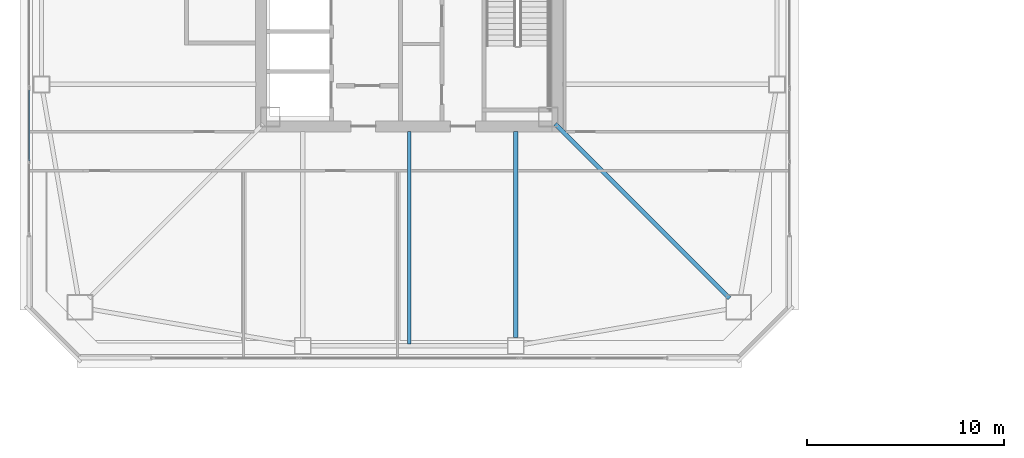
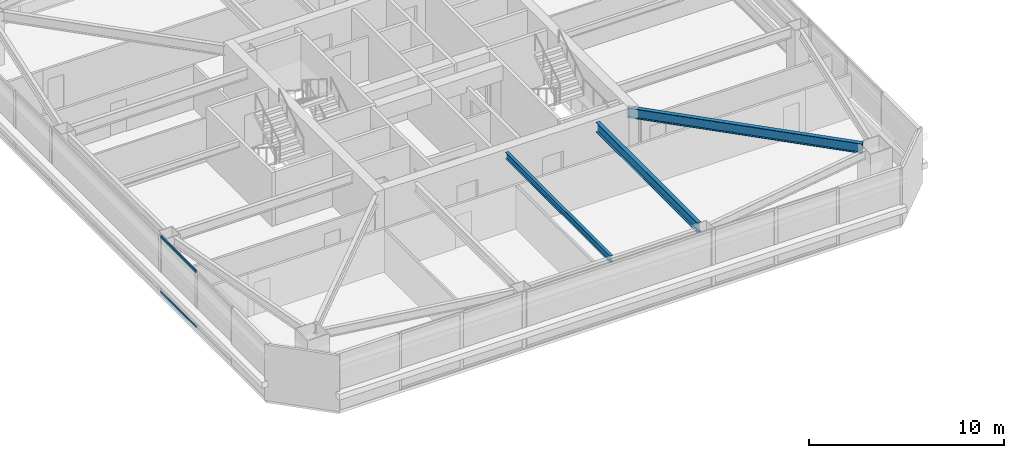
# One storey, part 7 of 44: 3 beams, 2 members, 1 element without a shape of its own.
"""IFC4 building model written with IfcOpenShell, lengths in metres."""

from ifc_helpers import new_model, si_unit, direction, frame, origin, origin_2d, place, context, subcontext, project, spatial, hollow_rectangle, i_section, extrude, material, material_profile, profile_set, type_object, element, aggregate, save


model = new_model("IFC4")

# Units and contexts
model_context = context("Model", 3, precision=1e-05, world=origin(), true_north=direction((0.0, 1.0)))
body_context = subcontext(model_context, "Body", "Model", "MODEL_VIEW")
ifc_project = project(units=[si_unit("LENGTHUNIT", "METRE"), si_unit("AREAUNIT", "SQUARE_METRE"), si_unit("VOLUMEUNIT", "CUBIC_METRE"), si_unit("PLANEANGLEUNIT", "RADIAN"), si_unit("MASSUNIT", "GRAM", prefix="KILO")], contexts=[model_context])

# Site, building, storey
site_placement = place(None, origin())
site = spatial("IfcSite", under=ifc_project, at=site_placement, CompositionType="ELEMENT")
building_placement = place(site_placement, origin())
building = spatial("IfcBuilding", under=site, at=building_placement, Name="Tashvorn Skyway Center", CompositionType="ELEMENT")
storey_placement = place(building_placement, frame((0.0, 0.0, 149.89990234375)))
storey = spatial("IfcBuildingStorey", under=building, at=storey_placement, Name="L40", CompositionType="ELEMENT", Elevation=149.89990234375)

# Beams
ifc_material_1 = material(Name="Steel ASTM A992 Grade 50", Category="steel")
ifc_material_profile_1 = material_profile(ifc_material_1, i_section(OverallWidth=0.22998046875, OverallDepth=0.616943359375, WebThickness=0.01318359375, FlangeThickness=0.022216796875, at=origin_2d()), Name="W24X94")
ifc_profile_set_1 = profile_set([ifc_material_profile_1], Name="Steel ASTM A992 Grade 50")
beam_type_1 = type_object("IfcBeamType", Name="BM-BEAM-W24X94", PredefinedType="BEAM", material=ifc_profile_set_1)
beam_1_placement = place(storey_placement, frame((58.243896484375, 15.756103515625, 3.0615234375), z_axis=(-0.707106781187, 0.707106781187, 0.0), x_axis=(-0.707106781187, -0.707106781187, 0.0)))
element("IfcBeam", 1, at=beam_1_placement, inside=storey, type_object=beam_type_1, Name="Tower 1 L40 Primary Floor Girder MC-SE", PredefinedType="BEAM", context=body_context, shape_type="SweptSolid", body=[
    extrude(i_section(OverallWidth=0.22998046875, OverallDepth=0.616943359375, WebThickness=0.01318359375, FlangeThickness=0.022216796875, at=origin_2d()), origin(), (0.0, 0.0, 1.0), 12.50732421875),
])
beam_2_placement = place(storey_placement, frame((47.39990234375, 13.77001953125, 3.0615234375), z_axis=(0.0, 1.0, 0.0), x_axis=(-1.0, 0.0, 0.0)))
element("IfcBeam", 2, at=beam_2_placement, inside=storey, type_object=beam_type_1, Name="Tower 1 L40 Primary Floor Girder FC-S2", PredefinedType="BEAM", context=body_context, shape_type="SweptSolid", body=[
    extrude(i_section(OverallWidth=0.22998046875, OverallDepth=0.616943359375, WebThickness=0.01318359375, FlangeThickness=0.022216796875, at=origin_2d()), origin(), (0.0, 0.0, 1.0), 10.449951171875),
])
ifc_material_profile_2 = material_profile(ifc_material_1, i_section(OverallWidth=0.177978515625, OverallDepth=0.406005859375, WebThickness=0.0078125, FlangeThickness=0.0126953125, at=origin_2d()), Name="W16X40")
ifc_profile_set_2 = profile_set([ifc_material_profile_2], Name="Steel ASTM A992 Grade 50")
beam_type_2 = type_object("IfcBeamType", Name="BM-JOIST-W16X40", PredefinedType="JOIST", material=ifc_profile_set_2)
beam_3_placement = place(storey_placement, frame((42.0, 24.2099609375, 3.1669921875), z_axis=(0.0, -1.0, 0.0), x_axis=(1.0, 0.0, 0.0)))
element("IfcBeam", 3, at=beam_3_placement, inside=storey, type_object=beam_type_2, Name="Tower 1 L40 Secondary Composite Joist JS", PredefinedType="JOIST", context=body_context, shape_type="SweptSolid", body=[
    extrude(i_section(OverallWidth=0.177978515625, OverallDepth=0.406005859375, WebThickness=0.0078125, FlangeThickness=0.0126953125, at=origin_2d()), origin(), (0.0, 0.0, 1.0), 10.762451171875),
])

# Curtain wall, members
ifc_material_2 = material(Name="Thermally broken bronze-anodized aluminium 6063-T6", Category="aluminium")
curtain_wall_type = type_object("IfcCurtainWallType", Name="CW-CW-Z3", PredefinedType="NOTDEFINED", material=ifc_material_2)
curtain_wall_placement = place(storey_placement, origin())
curtain_wall = element("IfcCurtainWall", 4, at=curtain_wall_placement, inside=storey, type_object=curtain_wall_type, Name="Tower 1 L40 West Unitised Curtain Wall Glazing Group 1", PredefinedType="NOTDEFINED")
ifc_material_profile_3 = material_profile(ifc_material_2, hollow_rectangle(XDim=0.074951171875, YDim=0.139892578125, WallThickness=0.004150390625, at=origin_2d()), Name="ALU-TRAN-75x140")
ifc_profile_set_3 = profile_set([ifc_material_profile_3], Name="Thermally broken bronze-anodized aluminium 6063-T6")
member_type = type_object("IfcMemberType", Name="CWT-CW-Z3", PredefinedType="USERDEFINED", material=ifc_profile_set_3)
member_1_placement = place(storey_placement, frame((22.719970703125, 22.71533203125, 0.03759765625), z_axis=(0.0, 1.0, 0.0), x_axis=(-1.0, 0.0, 0.0)))
member_1 = element("IfcMember", 5, at=member_1_placement, type_object=member_type, Name="CW-Z3 transom 2.1", ObjectType="TRANSOM", PredefinedType="USERDEFINED", context=body_context, shape_type="SweptSolid", body=[
    extrude(hollow_rectangle(XDim=0.074951171875, YDim=0.139892578125, WallThickness=0.004150390625, at=origin_2d()), origin(), (0.0, 0.0, 1.0), 3.616455078125),
])
member_2_placement = place(storey_placement, frame((22.719970703125, 22.71533203125, 3.5126953125), z_axis=(0.0, 1.0, 0.0), x_axis=(-1.0, 0.0, 0.0)))
member_2 = element("IfcMember", 6, at=member_2_placement, type_object=member_type, Name="CW-Z3 transom 2.2", ObjectType="TRANSOM", PredefinedType="USERDEFINED", context=body_context, shape_type="SweptSolid", body=[
    extrude(hollow_rectangle(XDim=0.074951171875, YDim=0.139892578125, WallThickness=0.004150390625, at=origin_2d()), origin(), (0.0, 0.0, 1.0), 3.616455078125),
])
aggregate(curtain_wall, [member_1, member_2])

save(model, "model.ifc")
